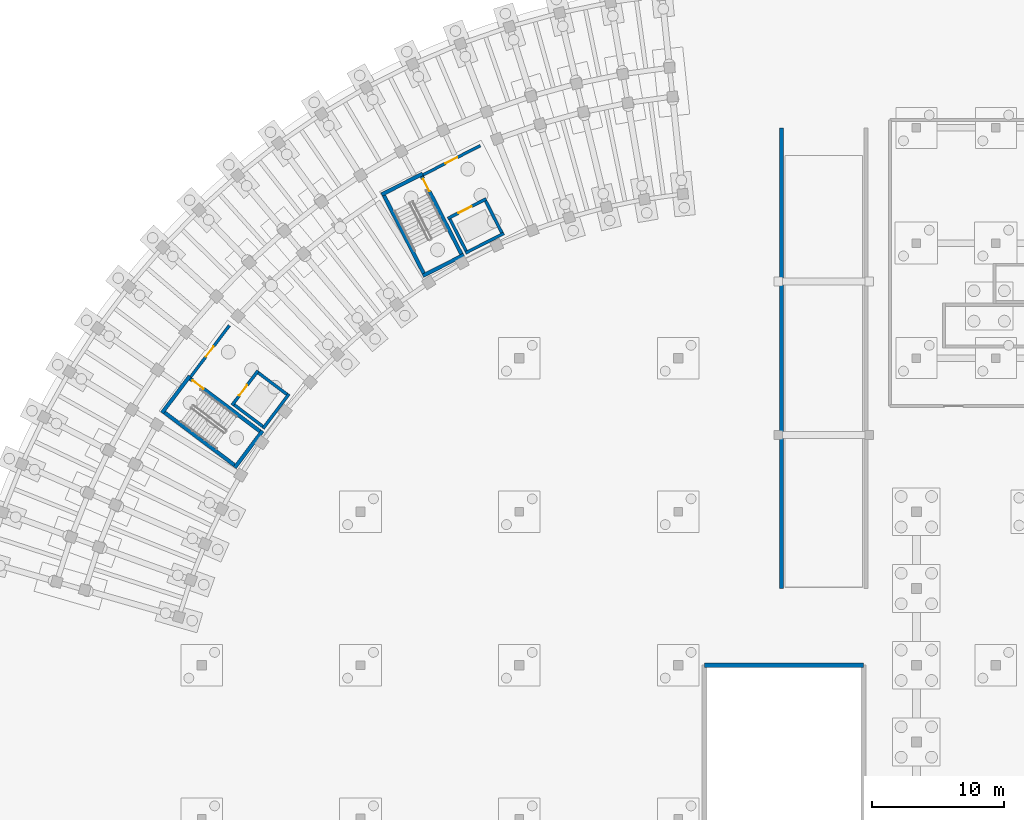
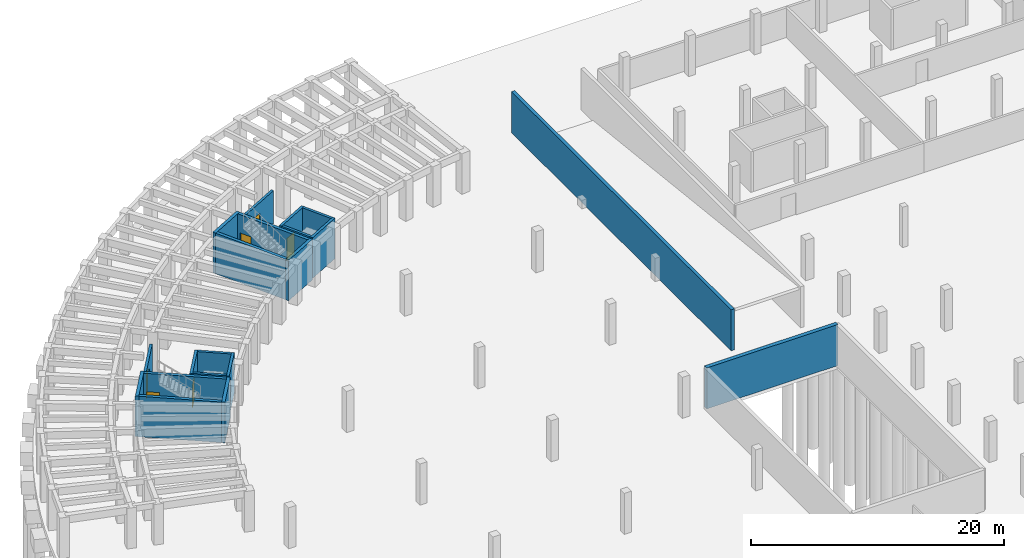
# One storey, part 20 of 29: 20 walls, 6 doors, 6 openings.
"""IFC4 building model written with IfcOpenShell, lengths in metres."""

from ifc_helpers import new_model, si_unit, direction, frame, frame_2d, origin, place, context, subcontext, project, spatial, rectangle, extrude, material, layer, layer_set, type_object, element, fill, save


model = new_model("IFC4")

# Units and contexts
model_context = context("Model", 3, precision=1e-05, world=origin(), true_north=direction((0.0, 1.0)))
body_context = subcontext(model_context, "Body", "Model", "MODEL_VIEW")
ifc_project = project(units=[si_unit("LENGTHUNIT", "METRE"), si_unit("AREAUNIT", "SQUARE_METRE"), si_unit("VOLUMEUNIT", "CUBIC_METRE"), si_unit("PLANEANGLEUNIT", "RADIAN"), si_unit("MASSUNIT", "GRAM", prefix="KILO")], contexts=[model_context])

# Site, building, storey
site_placement = place(None, origin())
site = spatial("IfcSite", under=ifc_project, at=site_placement, CompositionType="ELEMENT")
building_placement = place(site_placement, origin())
building = spatial("IfcBuilding", under=site, at=building_placement, Name="Tanwirah Colonnade Gardens", CompositionType="ELEMENT")
storey_placement = place(building_placement, frame((0.0, 0.0, -4.199951171875)))
storey = spatial("IfcBuildingStorey", under=building, at=storey_placement, Name="B1", CompositionType="ELEMENT", Elevation=-4.199951171875)

# Wall, opening, door
ifc_material_1 = material(Name="Autoclaved aerated masonry blockwork", Category="masonry")
ifc_layer_1 = layer(ifc_material_1, 0.219970703125)
ifc_layer_set_1 = layer_set([ifc_layer_1], Name="Autoclaved aerated masonry blockwork")
wall_type_1 = type_object("IfcWallType", Name="IW-FFL220", PredefinedType="PARTITIONING", material=ifc_layer_set_1)
wall_1_placement = place(storey_placement, frame((40.68212890625, 105.833740234375, 0.0), z_axis=(0.0, 0.0, 1.0), x_axis=(0.891003372311, 0.453996685595, 0.0)))
wall_1 = element("IfcWall", 1, at=wall_1_placement, inside=storey, type_object=wall_type_1, Name="CORE-A1 B1 Enclosed Lobby Fire Wall", PredefinedType="PARTITIONING", context=body_context, shape_type="SweptSolid", body=[
    extrude(rectangle(XDim=4.900146484375, YDim=0.219970703125, at=frame_2d((2.4501953125, 0.0))), origin(), (0.0, 0.0, 1.0), 3.179931640625),
])
opening_1_placement = place(wall_1_placement, frame((1.949951171875, 0.0, 0.0)))
opening_1 = element("IfcOpeningElement", 2, at=opening_1_placement, cuts=wall_1, Name="Opening B1-LD017", PredefinedType="OPENING", context=body_context, shape_type="SweptSolid", body=[
    extrude(rectangle(XDim=1.0, YDim=2.14990234375, at=frame_2d((0.5, 1.074951171875))), frame((0.0, 0.119873046875, 0.0), z_axis=(0.0, -1.0, 0.0), x_axis=(1.0, 0.0, 0.0)), (0.0, 0.0, 1.0), 0.239990234375),
])
ifc_material_2 = material(Name="Acoustic fire-resisting lobby door")
door_type_1 = type_object("IfcDoorType", Name="ID-FFL100", OperationType="NOTDEFINED", PredefinedType="DOOR", material=ifc_material_2)
door_1_placement = place(opening_1_placement, origin())
door_1 = element("IfcDoor", 3, at=door_1_placement, inside=storey, type_object=door_type_1, Name="CORE-A1 B1 Lobby Fire Door B1-LD017", OperationType="SINGLE_SWING_RIGHT", OverallHeight=2.14990234375, OverallWidth=1.0, PredefinedType="DOOR", context=body_context, shape_type="SweptSolid", body=[
    extrude(rectangle(XDim=1.0, YDim=2.14990234375, at=frame_2d((0.5, 1.074951171875))), frame((0.0, 0.02490234375, 0.0), z_axis=(0.0, -1.0, 0.0), x_axis=(1.0, 0.0, 0.0)), (0.0, 0.0, 1.0), 0.050048828125),
])
fill(opening_1, door_1)

wall_2_placement = place(storey_placement, frame((23.138916015625, 90.55517578125, 0.0), z_axis=(0.0, 0.0, 1.0), x_axis=(0.601792209296, 0.79865270101, 0.0)))
wall_2 = element("IfcWall", 4, at=wall_2_placement, inside=storey, type_object=wall_type_1, Name="CORE-A2 B1 Enclosed Lobby Fire Wall", PredefinedType="PARTITIONING", context=body_context, shape_type="SweptSolid", body=[
    extrude(rectangle(XDim=4.89990234375, YDim=0.219970703125, at=frame_2d((2.449951171875, 0.0))), origin(), (0.0, 0.0, 1.0), 3.179931640625),
])
opening_2_placement = place(wall_2_placement, frame((1.949951171875, 0.0, 0.0)))
opening_2 = element("IfcOpeningElement", 5, at=opening_2_placement, cuts=wall_2, Name="Opening B1-LD049", PredefinedType="OPENING", context=body_context, shape_type="SweptSolid", body=[
    extrude(rectangle(XDim=0.97998046875, YDim=2.139892578125, at=frame_2d((0.489990234375, 1.06982421875))), frame((0.0, 0.119873046875, 0.0), z_axis=(0.0, -1.0, 0.0), x_axis=(1.0, 0.0, 0.0)), (0.0, 0.0, 1.0), 0.239990234375),
])
door_type_2 = type_object("IfcDoorType", Name="ID-FFL098", OperationType="NOTDEFINED", PredefinedType="DOOR", material=ifc_material_2)
door_2_placement = place(opening_2_placement, origin())
door_2 = element("IfcDoor", 6, at=door_2_placement, inside=storey, type_object=door_type_2, Name="CORE-A2 B1 Lobby Fire Door B1-LD049", OperationType="SINGLE_SWING_RIGHT", OverallHeight=2.139892578125, OverallWidth=0.97998046875, PredefinedType="DOOR", context=body_context, shape_type="SweptSolid", body=[
    extrude(rectangle(XDim=0.97998046875, YDim=2.139892578125, at=frame_2d((0.489990234375, 1.06982421875))), frame((0.0, 0.02490234375, 0.0), z_axis=(0.0, -1.0, 0.0), x_axis=(1.0, 0.0, 0.0)), (0.0, 0.0, 1.0), 0.050048828125),
])
fill(opening_2, door_2)

# Walls
ifc_material_3 = material(Name="Concrete C45/55", Category="concrete")
ifc_layer_2 = layer(ifc_material_3, 0.360107421875)
ifc_layer_set_2 = layer_set([ifc_layer_2], Name="Concrete C45/55")
wall_type_2 = type_object("IfcWallType", Name="SW-B1RET360", PredefinedType="STANDARD", material=ifc_layer_set_2)
wall_3_placement = place(storey_placement, frame((74.0, 68.800048828125, 0.0), z_axis=(0.0, 0.0, 1.0), x_axis=(-1.0, 0.0, 0.0)))
element("IfcWall", 7, at=wall_3_placement, inside=storey, type_object=wall_type_2, Name="Basement Courtyard Retaining Wall 1.3", PredefinedType="STANDARD", context=body_context, shape_type="SweptSolid", body=[
    extrude(rectangle(XDim=12.0, YDim=0.360107421875, at=frame_2d((6.0, 0.0))), origin(), (0.0, 0.0, 1.0), 3.969970703125),
])
ifc_layer_3 = layer(ifc_material_3, 0.280029296875)
ifc_layer_set_3 = layer_set([ifc_layer_3], Name="Concrete C45/55")
wall_type_3 = type_object("IfcWallType", Name="SW-CORE280", PredefinedType="SHEAR", material=ifc_layer_set_3)
wall_4_placement = place(storey_placement, frame((37.7734375, 104.295654296875, 0.0), z_axis=(0.0, 0.0, 1.0), x_axis=(0.453992276384, -0.891005618941, 0.0)))
element("IfcWall", 8, at=wall_4_placement, inside=storey, type_object=wall_type_3, Name="CORE-A1 B1 Stair Shaft Shear Wall LEFT", PredefinedType="SHEAR", context=body_context, shape_type="SweptSolid", body=[
    extrude(rectangle(XDim=6.599853515625, YDim=0.280029296875, at=frame_2d((3.2998046875, 0.0))), origin(), (0.0, 0.0, 1.0), 3.919921875),
])
for number, where, z_axis, x_axis, name in (
    (9, (40.708740234375, 98.2265625, 0.0), (0.0, 0.0, 1.0), (0.891005763861, 0.453991991964, 0.0), "CORE-A1 B1 Stair Shaft Shear Wall FAR"),
    (10, (37.585205078125, 104.356689453125, 0.0), (0.0, 0.0, 1.0), (0.891020222667, 0.453963613958, 0.0), "CORE-A1 B1 Stair Shaft Shear Wall NEAR"),
):
    element("IfcWall", number, at=place(storey_placement, frame(where, z_axis=z_axis, x_axis=x_axis)), inside=storey, type_object=wall_type_3, Name=name, PredefinedType="SHEAR", context=body_context, shape_type="SweptSolid", body=[
        extrude(rectangle(XDim=3.47998046875, YDim=0.280029296875, at=frame_2d((1.739990234375, 0.0))), origin(), (0.0, 0.0, 1.0), 3.919921875),
    ])

# Wall, opening, door
wall_5_placement = place(storey_placement, frame((40.624755859375, 105.748291015625, 0.0), z_axis=(0.0, 0.0, 1.0), x_axis=(0.453992276384, -0.891005618941, 0.0)))
wall_5 = element("IfcWall", 11, at=wall_5_placement, inside=storey, type_object=wall_type_3, Name="CORE-A1 B1 Stair Shaft Shear Wall RIGHT", PredefinedType="SHEAR", context=body_context, shape_type="SweptSolid", body=[
    extrude(rectangle(XDim=6.599853515625, YDim=0.280029296875, at=frame_2d((3.2998046875, 0.0))), origin(), (0.0, 0.0, 1.0), 3.919921875),
])
opening_3_placement = place(wall_5_placement, frame((0.219970703125, 0.0, 0.0)))
opening_3 = element("IfcOpeningElement", 12, at=opening_3_placement, cuts=wall_5, Name="Opening B1-SD001", PredefinedType="OPENING", context=body_context, shape_type="SweptSolid", body=[
    extrude(rectangle(XDim=1.050048828125, YDim=2.14990234375, at=frame_2d((0.52490234375, 1.074951171875))), frame((0.0, 0.14990234375, 0.0), z_axis=(0.0, -1.0, 0.0), x_axis=(1.0, 0.0, 0.0)), (0.0, 0.0, 1.0), 0.300048828125),
])
ifc_material_4 = material(Name="Steel fire-resisting stair enclosure door", Category="steel")
door_type_3 = type_object("IfcDoorType", Name="ID-ST105", OperationType="NOTDEFINED", PredefinedType="DOOR", material=ifc_material_4)
door_3_placement = place(opening_3_placement, origin())
door_3 = element("IfcDoor", 13, at=door_3_placement, inside=storey, type_object=door_type_3, Name="CORE-A1 B1 Stair Fire Door B1-SD001", OperationType="SINGLE_SWING_RIGHT", OverallHeight=2.14990234375, OverallWidth=1.050048828125, PredefinedType="DOOR", context=body_context, shape_type="SweptSolid", body=[
    extrude(rectangle(XDim=1.050048828125, YDim=2.14990234375, at=frame_2d((0.52490234375, 1.074951171875))), frame((0.0, 0.02490234375, 0.0), z_axis=(0.0, -1.0, 0.0), x_axis=(1.0, 0.0, 0.0)), (0.0, 0.0, 1.0), 0.050048828125),
])
fill(opening_3, door_3)

# Walls
wall_6_placement = place(storey_placement, frame((21.19873046875, 87.8974609375, 0.0), z_axis=(0.0, 0.0, 1.0), x_axis=(0.798639633744, -0.601809550782, 0.0)))
element("IfcWall", 14, at=wall_6_placement, inside=storey, type_object=wall_type_3, Name="CORE-A2 B1 Stair Shaft Shear Wall LEFT", PredefinedType="SHEAR", context=body_context, shape_type="SweptSolid", body=[
    extrude(rectangle(XDim=6.599853515625, YDim=0.280029296875, at=frame_2d((3.2998046875, 0.0))), origin(), (0.0, 0.0, 1.0), 3.919921875),
])
for number, where, z_axis, x_axis, name in (
    (15, (26.497314453125, 83.7294921875, 0.0), (0.0, 0.0, 1.0), (0.601794470585, 0.798650997102, 0.0), "CORE-A2 B1 Stair Shaft Shear Wall FAR"),
    (16, (21.002685546875, 87.869873046875, 0.0), (0.0, 0.0, 1.0), (0.601794470585, 0.798650997102, 0.0), "CORE-A2 B1 Stair Shaft Shear Wall NEAR"),
):
    element("IfcWall", number, at=place(storey_placement, frame(where, z_axis=z_axis, x_axis=x_axis)), inside=storey, type_object=wall_type_3, Name=name, PredefinedType="SHEAR", context=body_context, shape_type="SweptSolid", body=[
        extrude(rectangle(XDim=3.47998046875, YDim=0.280029296875, at=frame_2d((1.739990234375, 0.0))), origin(), (0.0, 0.0, 1.0), 3.919921875),
    ])

# Wall, opening, door
wall_7_placement = place(storey_placement, frame((23.12451171875, 90.453125, 0.0), z_axis=(0.0, 0.0, 1.0), x_axis=(0.798639633744, -0.601809550782, 0.0)))
wall_7 = element("IfcWall", 17, at=wall_7_placement, inside=storey, type_object=wall_type_3, Name="CORE-A2 B1 Stair Shaft Shear Wall RIGHT", PredefinedType="SHEAR", context=body_context, shape_type="SweptSolid", body=[
    extrude(rectangle(XDim=6.599853515625, YDim=0.280029296875, at=frame_2d((3.2998046875, 0.0))), origin(), (0.0, 0.0, 1.0), 3.919921875),
])
opening_4_placement = place(wall_7_placement, frame((0.219970703125, 0.0, 0.0)))
opening_4 = element("IfcOpeningElement", 18, at=opening_4_placement, cuts=wall_7, Name="Opening B1-SD033", PredefinedType="OPENING", context=body_context, shape_type="SweptSolid", body=[
    extrude(rectangle(XDim=1.050048828125, YDim=2.14990234375, at=frame_2d((0.52490234375, 1.074951171875))), frame((0.0, 0.14990234375, 0.0), z_axis=(0.0, -1.0, 0.0), x_axis=(1.0, 0.0, 0.0)), (0.0, 0.0, 1.0), 0.300048828125),
])
door_4_placement = place(opening_4_placement, origin())
door_4 = element("IfcDoor", 19, at=door_4_placement, inside=storey, type_object=door_type_3, Name="CORE-A2 B1 Stair Fire Door B1-SD033", OperationType="SINGLE_SWING_RIGHT", OverallHeight=2.14990234375, OverallWidth=1.050048828125, PredefinedType="DOOR", context=body_context, shape_type="SweptSolid", body=[
    extrude(rectangle(XDim=1.050048828125, YDim=2.14990234375, at=frame_2d((0.52490234375, 1.074951171875))), frame((0.0, 0.02490234375, 0.0), z_axis=(0.0, -1.0, 0.0), x_axis=(1.0, 0.0, 0.0)), (0.0, 0.0, 1.0), 0.050048828125),
])
fill(opening_4, door_4)

ifc_layer_4 = layer(ifc_material_3, 0.22998046875)
ifc_layer_set_4 = layer_set([ifc_layer_4], Name="Concrete C45/55")
wall_type_4 = type_object("IfcWallType", Name="SW-LIFT230", PredefinedType="SHEAR", material=ifc_layer_set_4)
wall_8_placement = place(storey_placement, frame((42.5966796875, 102.561279296875, 0.0), z_axis=(0.0, 0.0, 1.0), x_axis=(0.891001200497, 0.454000947921, 0.0)))
wall_8 = element("IfcWall", 20, at=wall_8_placement, inside=storey, type_object=wall_type_4, Name="CORE-A1 B1 Lift Shaft Wall FRONT", PredefinedType="SHEAR", context=body_context, shape_type="SweptSolid", body=[
    extrude(rectangle(XDim=3.259765625, YDim=0.22998046875, at=frame_2d((1.6298828125, 0.0))), origin(), (0.0, 0.0, 1.0), 3.919921875),
])
opening_5_placement = place(wall_8_placement, frame((0.89990234375, 0.0, 0.0)))
opening_5 = element("IfcOpeningElement", 21, at=opening_5_placement, cuts=wall_8, Name="Opening B1-LD-FL-A1", PredefinedType="OPENING", context=body_context, shape_type="SweptSolid", body=[
    extrude(rectangle(XDim=1.10009765625, YDim=2.14990234375, at=frame_2d((0.550048828125, 1.074951171875))), frame((0.0, 0.125, 0.0), z_axis=(0.0, -1.0, 0.0), x_axis=(1.0, 0.0, 0.0)), (0.0, 0.0, 1.0), 0.25),
])
ifc_material_5 = material(Name="Stainless steel sliding fire lift landing door", Category="steel")
door_type_4 = type_object("IfcDoorType", Name="LD-FF11", OperationType="DOUBLE_DOOR_SLIDING", PredefinedType="DOOR", material=ifc_material_5)
door_5_placement = place(opening_5_placement, origin())
door_5 = element("IfcDoor", 22, at=door_5_placement, inside=storey, type_object=door_type_4, Name="Lift FL-A1 B1 Sliding Landing Door", OperationType="DOUBLE_DOOR_SLIDING", OverallHeight=2.14990234375, OverallWidth=1.10009765625, PredefinedType="DOOR", context=body_context, shape_type="SweptSolid", body=[
    extrude(rectangle(XDim=1.10009765625, YDim=2.14990234375, at=frame_2d((0.550048828125, 1.074951171875))), frame((0.0, 0.02490234375, 0.0), z_axis=(0.0, -1.0, 0.0), x_axis=(1.0, 0.0, 0.0)), (0.0, 0.0, 1.0), 0.050048828125),
])
fill(opening_5, door_5)

# Walls
wall_9_placement = place(storey_placement, frame((43.9267578125, 99.950439453125, 0.0), z_axis=(0.0, 0.0, 1.0), x_axis=(0.891016635648, 0.453970654337, 0.0)))
element("IfcWall", 23, at=wall_9_placement, inside=storey, type_object=wall_type_4, Name="CORE-A1 B1 Lift Shaft Wall BACK", PredefinedType="SHEAR", context=body_context, shape_type="SweptSolid", body=[
    extrude(rectangle(XDim=3.260009765625, YDim=0.22998046875, at=frame_2d((1.6298828125, 0.0))), origin(), (0.0, 0.0, 1.0), 3.919921875),
])
for number, where, z_axis, x_axis, name in (
    (24, (42.751220703125, 102.510986328125, 0.0), (0.0, 0.0, 1.0), (0.454000278178, -0.891001541758, 0.0), "CORE-A1 B1 Lift Shaft Wall SIDEA"),
    (25, (45.450927734375, 103.886474609375, 0.0), (0.0, 0.0, 1.0), (0.454000278178, -0.891001541758, 0.0), "CORE-A1 B1 Lift Shaft Wall SIDEB"),
):
    element("IfcWall", number, at=place(storey_placement, frame(where, z_axis=z_axis, x_axis=x_axis)), inside=storey, type_object=wall_type_4, Name=name, PredefinedType="SHEAR", context=body_context, shape_type="SweptSolid", body=[
        extrude(rectangle(XDim=2.699951171875, YDim=0.22998046875, at=frame_2d((1.35009765625, 0.0))), origin(), (0.0, 0.0, 1.0), 3.919921875),
    ])

# Wall, opening, door
wall_10_placement = place(storey_placement, frame((26.2939453125, 88.452880859375, 0.0), z_axis=(0.0, 0.0, 1.0), x_axis=(0.601819781152, 0.798631924615, 0.0)))
wall_10 = element("IfcWall", 26, at=wall_10_placement, inside=storey, type_object=wall_type_4, Name="CORE-A2 B1 Lift Shaft Wall FRONT", PredefinedType="SHEAR", context=body_context, shape_type="SweptSolid", body=[
    extrude(rectangle(XDim=3.260009765625, YDim=0.22998046875, at=frame_2d((1.6298828125, 0.0))), origin(), (0.0, 0.0, 1.0), 3.919921875),
])
opening_6_placement = place(wall_10_placement, frame((0.89990234375, 0.0, 0.0)))
opening_6 = element("IfcOpeningElement", 27, at=opening_6_placement, cuts=wall_10, Name="Opening B1-LD-PL-A2", PredefinedType="OPENING", context=body_context, shape_type="SweptSolid", body=[
    extrude(rectangle(XDim=1.0, YDim=2.14990234375, at=frame_2d((0.5, 1.074951171875))), frame((0.0, 0.125, 0.0), z_axis=(0.0, -1.0, 0.0), x_axis=(1.0, 0.0, 0.0)), (0.0, 0.0, 1.0), 0.25),
])
ifc_material_6 = material(Name="Bronze stainless steel sliding lift landing door", Category="steel")
door_type_5 = type_object("IfcDoorType", Name="LD-PS10", OperationType="DOUBLE_DOOR_SLIDING", PredefinedType="DOOR", material=ifc_material_6)
door_6_placement = place(opening_6_placement, origin())
door_6 = element("IfcDoor", 28, at=door_6_placement, inside=storey, type_object=door_type_5, Name="Lift PL-A2 B1 Sliding Landing Door", OperationType="DOUBLE_DOOR_SLIDING", OverallHeight=2.14990234375, OverallWidth=1.0, PredefinedType="DOOR", context=body_context, shape_type="SweptSolid", body=[
    extrude(rectangle(XDim=1.0, YDim=2.14990234375, at=frame_2d((0.5, 1.074951171875))), frame((0.0, 0.02490234375, 0.0), z_axis=(0.0, -1.0, 0.0), x_axis=(1.0, 0.0, 0.0)), (0.0, 0.0, 1.0), 0.050048828125),
])
fill(opening_6, door_6)

# Walls
wall_11_placement = place(storey_placement, frame((28.634033203125, 86.689697265625, 0.0), z_axis=(0.0, 0.0, 1.0), x_axis=(0.601819781152, 0.798631924615, 0.0)))
element("IfcWall", 29, at=wall_11_placement, inside=storey, type_object=wall_type_4, Name="CORE-A2 B1 Lift Shaft Wall BACK", PredefinedType="SHEAR", context=body_context, shape_type="SweptSolid", body=[
    extrude(rectangle(XDim=3.260009765625, YDim=0.22998046875, at=frame_2d((1.6298828125, 0.0))), origin(), (0.0, 0.0, 1.0), 3.919921875),
])
for number, where, z_axis, x_axis, name in (
    (30, (26.455078125, 88.4755859375, 0.0), (0.0, 0.0, 1.0), (0.798608971494, -0.601850239387, 0.0), "CORE-A2 B1 Lift Shaft Wall SIDEA"),
    (31, (28.278564453125, 90.8955078125, 0.0), (0.0, 0.0, 1.0), (0.798608971494, -0.601850239387, 0.0), "CORE-A2 B1 Lift Shaft Wall SIDEB"),
):
    element("IfcWall", number, at=place(storey_placement, frame(where, z_axis=z_axis, x_axis=x_axis)), inside=storey, type_object=wall_type_4, Name=name, PredefinedType="SHEAR", context=body_context, shape_type="SweptSolid", body=[
        extrude(rectangle(XDim=2.699951171875, YDim=0.22998046875, at=frame_2d((1.35009765625, 0.0))), origin(), (0.0, 0.0, 1.0), 3.919921875),
    ])
ifc_layer_5 = layer(ifc_material_3, 0.300048828125)
ifc_layer_set_5 = layer_set([ifc_layer_5], Name="Concrete C45/55")
wall_type_5 = type_object("IfcWallType", Name="SW-RMP300", PredefinedType="SHEAR", material=ifc_layer_set_5)
wall_12_placement = place(storey_placement, frame((67.820068359375, 74.60009765625, 0.0), z_axis=(0.0, 0.0, 1.0), x_axis=(0.0, 1.0, 0.0)))
element("IfcWall", 32, at=wall_12_placement, inside=storey, type_object=wall_type_5, Name="Basement Ramp Structural Wall W", PredefinedType="SHEAR", context=body_context, shape_type="SweptSolid", body=[
    extrude(rectangle(XDim=34.7998046875, YDim=0.300048828125, at=frame_2d((17.39990234375, 0.0))), origin(), (0.0, 0.0, 1.0), 3.969970703125),
])

save(model, "model.ifc")
